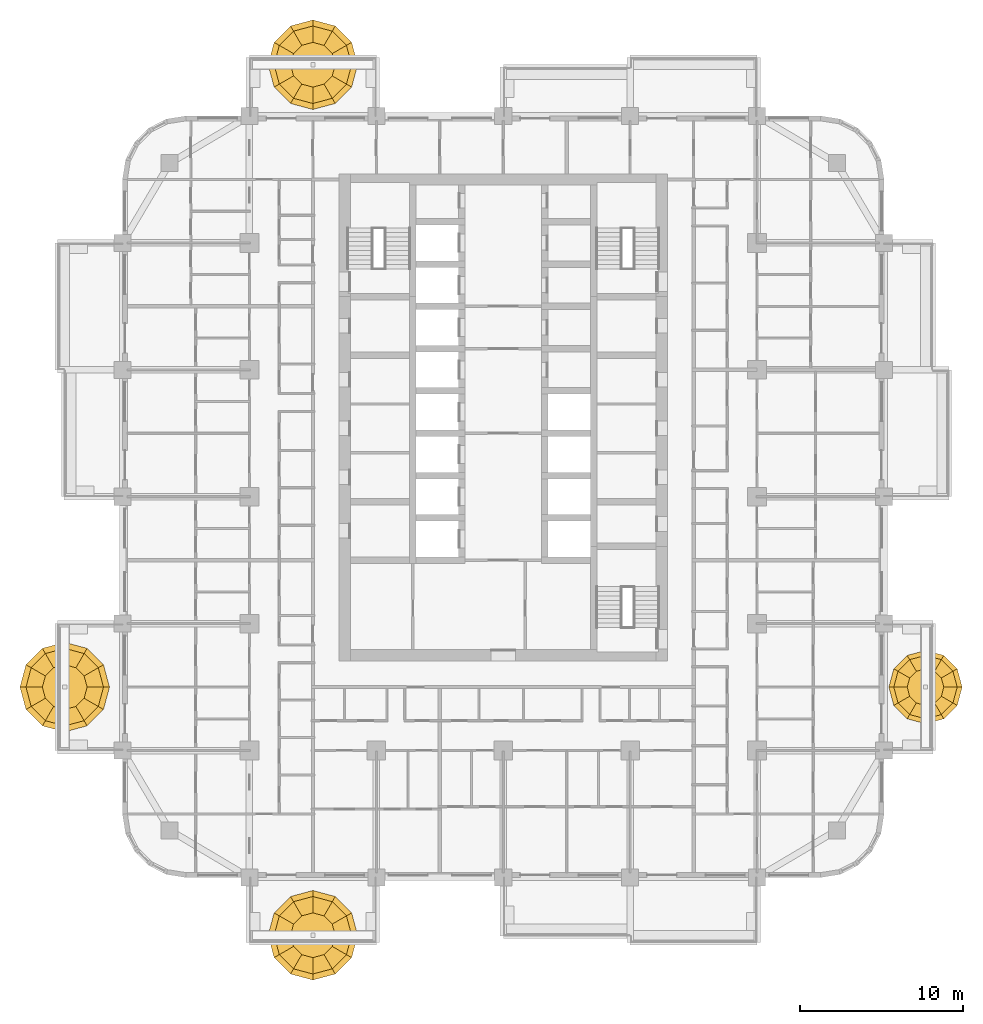
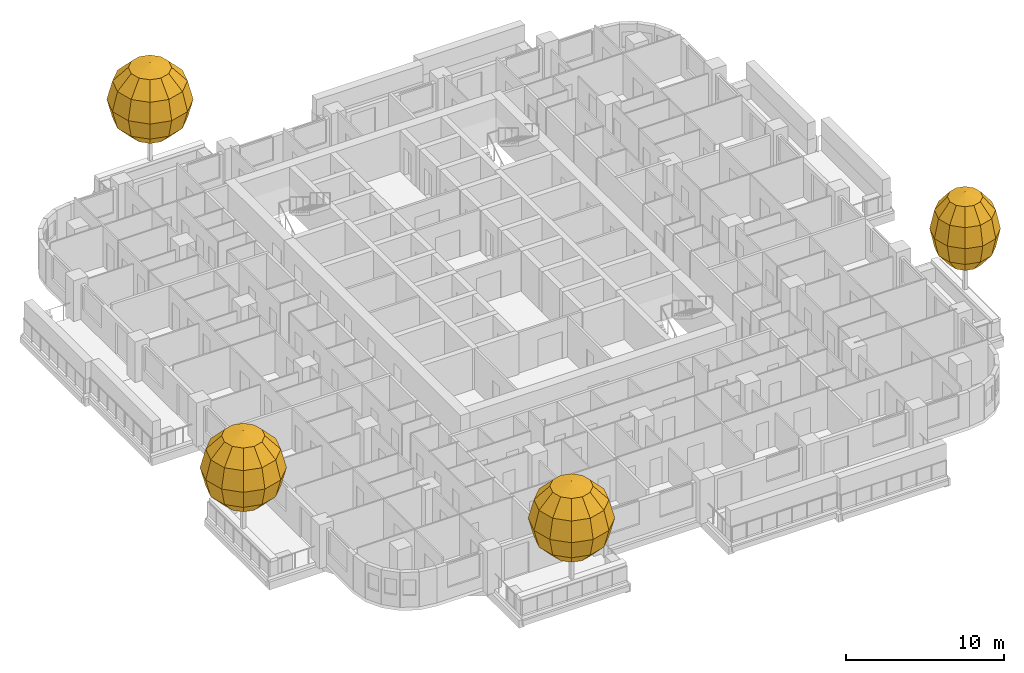
# One storey, part 19 of 19: 4 coverings.
"""IFC4 building model written with IfcOpenShell, lengths in metres."""

from ifc_helpers import new_model, si_unit, direction, frame, origin, place, context, subcontext, project, spatial, triangles, material, layer, layer_set, type_object, element, save


model = new_model("IFC4")

# Units and contexts
model_context = context("Model", 3, precision=1e-05, world=origin(), true_north=direction((0.0, 1.0)))
body_context = subcontext(model_context, "Body", "Model", "MODEL_VIEW")
ifc_project = project(units=[si_unit("LENGTHUNIT", "METRE"), si_unit("AREAUNIT", "SQUARE_METRE"), si_unit("VOLUMEUNIT", "CUBIC_METRE"), si_unit("PLANEANGLEUNIT", "RADIAN"), si_unit("MASSUNIT", "GRAM", prefix="KILO")], contexts=[model_context])

# Site, building, storey
site_placement = place(None, origin())
site = spatial("IfcSite", under=ifc_project, at=site_placement, CompositionType="ELEMENT")
building_placement = place(site_placement, origin())
building = spatial("IfcBuilding", under=site, at=building_placement, Name="Ludao Terraces", CompositionType="ELEMENT")
storey_placement = place(building_placement, frame((0.0, 0.0, 36.5)))
storey = spatial("IfcBuildingStorey", under=building, at=storey_placement, Name="L09", CompositionType="ELEMENT", Elevation=36.5)

# Coverings
ifc_material = material(Name="Planting")
ifc_layer_1 = layer(ifc_material, 4.5)
ifc_layer_set_1 = layer_set([ifc_layer_1], Name="ENV Tree crown 4500x5700")
covering_type_1 = type_object("IfcCoveringType", Name="ENV Tree crown 4500x5700", PredefinedType="USERDEFINED", material=ifc_layer_set_1)
covering_1_placement = place(storey_placement, frame((110.949951171875, 53.300048828125, 6.0)))
element("IfcCovering", 1, at=covering_1_placement, inside=storey, type_object=covering_type_1, Name="Tree crown L09 E1", ObjectType="PLANTING", PredefinedType="USERDEFINED", context=body_context, shape_type="Tessellation", body=[
    triangles([(0.0, 0.0, 2.85009765625), (1.125, 0.0, 2.46826171875), (0.974365234375, 0.5625, 2.46826171875), (0.5625, 0.974365234375, 2.46826171875), (0.0, 1.125, 2.46826171875), (-0.5625, 0.974365234375, 2.46826171875), (-0.974365234375, 0.5625, 2.46826171875), (-1.125, 0.0, 2.46826171875), (-0.974365234375, -0.5625, 2.46826171875), (-0.5625, -0.974365234375, 2.46826171875), (0.0, -1.125, 2.46826171875), (0.5625, -0.974365234375, 2.46826171875), (0.974365234375, -0.5625, 2.46826171875), (1.948486328125, 0.0, 1.425048828125), (1.6875, 0.974365234375, 1.425048828125), (0.974365234375, 1.6875, 1.425048828125), (0.0, 1.948486328125, 1.425048828125), (-0.974365234375, 1.6875, 1.425048828125), (-1.6875, 0.974365234375, 1.425048828125), (-1.948486328125, 0.0, 1.425048828125), (-1.6875, -0.974365234375, 1.425048828125), (-0.974365234375, -1.6875, 1.425048828125), (0.0, -1.948486328125, 1.425048828125), (0.974365234375, -1.6875, 1.425048828125), (1.6875, -0.974365234375, 1.425048828125), (2.25, 0.0, 0.0), (1.948486328125, 1.125, 0.0), (1.125, 1.948486328125, 0.0), (0.0, 2.25, 0.0), (-1.125, 1.948486328125, 0.0), (-1.948486328125, 1.125, 0.0), (-2.25, 0.0, 0.0), (-1.948486328125, -1.125, 0.0), (-1.125, -1.948486328125, 0.0), (0.0, -2.25, 0.0), (1.125, -1.948486328125, 0.0), (1.948486328125, -1.125, 0.0), (1.948486328125, 0.0, -1.425048828125), (1.6875, 0.974365234375, -1.425048828125), (0.974365234375, 1.6875, -1.425048828125), (0.0, 1.948486328125, -1.425048828125), (-0.974365234375, 1.6875, -1.425048828125), (-1.6875, 0.974365234375, -1.425048828125), (-1.948486328125, 0.0, -1.425048828125), (-1.6875, -0.974365234375, -1.425048828125), (-0.974365234375, -1.6875, -1.425048828125), (0.0, -1.948486328125, -1.425048828125), (0.974365234375, -1.6875, -1.425048828125), (1.6875, -0.974365234375, -1.425048828125), (1.125, 0.0, -2.46826171875), (0.974365234375, 0.5625, -2.46826171875), (0.5625, 0.974365234375, -2.46826171875), (0.0, 1.125, -2.46826171875), (-0.5625, 0.974365234375, -2.46826171875), (-0.974365234375, 0.5625, -2.46826171875), (-1.125, 0.0, -2.46826171875), (-0.974365234375, -0.5625, -2.46826171875), (-0.5625, -0.974365234375, -2.46826171875), (0.0, -1.125, -2.46826171875), (0.5625, -0.974365234375, -2.46826171875), (0.974365234375, -0.5625, -2.46826171875), (0.0, 0.0, -2.85009765625)], [[1, 2, 3], [1, 3, 4], [1, 4, 5], [1, 5, 6], [1, 6, 7], [1, 7, 8], [1, 8, 9], [1, 9, 10], [1, 10, 11], [1, 11, 12], [1, 12, 13], [1, 13, 2], [2, 14, 15], [2, 15, 3], [3, 15, 16], [3, 16, 4], [4, 16, 17], [4, 17, 5], [5, 17, 18], [5, 18, 6], [6, 18, 19], [6, 19, 7], [7, 19, 20], [7, 20, 8], [8, 20, 21], [8, 21, 9], [9, 21, 22], [9, 22, 10], [10, 22, 23], [10, 23, 11], [11, 23, 24], [11, 24, 12], [12, 24, 25], [12, 25, 13], [13, 25, 14], [13, 14, 2], [14, 26, 27], [14, 27, 15], [15, 27, 28], [15, 28, 16], [16, 28, 29], [16, 29, 17], [17, 29, 30], [17, 30, 18], [18, 30, 31], [18, 31, 19], [19, 31, 32], [19, 32, 20], [20, 32, 33], [20, 33, 21], [21, 33, 34], [21, 34, 22], [22, 34, 35], [22, 35, 23], [23, 35, 36], [23, 36, 24], [24, 36, 37], [24, 37, 25], [25, 37, 26], [25, 26, 14], [26, 38, 39], [26, 39, 27], [27, 39, 40], [27, 40, 28], [28, 40, 41], [28, 41, 29], [29, 41, 42], [29, 42, 30], [30, 42, 43], [30, 43, 31], [31, 43, 44], [31, 44, 32], [32, 44, 45], [32, 45, 33], [33, 45, 46], [33, 46, 34], [34, 46, 47], [34, 47, 35], [35, 47, 48], [35, 48, 36], [36, 48, 49], [36, 49, 37], [37, 49, 38], [37, 38, 26], [38, 50, 51], [38, 51, 39], [39, 51, 52], [39, 52, 40], [40, 52, 53], [40, 53, 41], [41, 53, 54], [41, 54, 42], [42, 54, 55], [42, 55, 43], [43, 55, 56], [43, 56, 44], [44, 56, 57], [44, 57, 45], [45, 57, 58], [45, 58, 46], [46, 58, 59], [46, 59, 47], [47, 59, 60], [47, 60, 48], [48, 60, 61], [48, 61, 49], [49, 61, 50], [49, 50, 38], [62, 51, 50], [62, 52, 51], [62, 53, 52], [62, 54, 53], [62, 55, 54], [62, 56, 55], [62, 57, 56], [62, 58, 57], [62, 59, 58], [62, 60, 59], [62, 61, 60], [62, 50, 61]], closed=True),
])
ifc_layer_2 = layer(ifc_material, 5.5)
ifc_layer_set_2 = layer_set([ifc_layer_2], Name="ENV Tree crown 5500x5700")
covering_type_2 = type_object("IfcCoveringType", Name="ENV Tree crown 5500x5700", PredefinedType="USERDEFINED", material=ifc_layer_set_2)
covering_2_placement = place(storey_placement, frame((73.300048828125, 38.050048828125, 6.0)))
element("IfcCovering", 2, at=covering_2_placement, inside=storey, type_object=covering_type_2, Name="Tree crown L09 S1", ObjectType="PLANTING", PredefinedType="USERDEFINED", context=body_context, shape_type="Tessellation", body=[
    triangles([(0.0, 0.0, 2.85009765625), (1.375, 0.0, 2.46826171875), (1.190673828125, 0.6875, 2.46826171875), (0.6875, 1.190673828125, 2.46826171875), (0.0, 1.375, 2.46826171875), (-0.6875, 1.190673828125, 2.46826171875), (-1.190673828125, 0.6875, 2.46826171875), (-1.375, 0.0, 2.46826171875), (-1.190673828125, -0.6875, 2.46826171875), (-0.6875, -1.190673828125, 2.46826171875), (0.0, -1.375, 2.46826171875), (0.6875, -1.190673828125, 2.46826171875), (1.190673828125, -0.6875, 2.46826171875), (2.381591796875, 0.0, 1.425048828125), (2.0625, 1.190673828125, 1.425048828125), (1.190673828125, 2.0625, 1.425048828125), (0.0, 2.381591796875, 1.425048828125), (-1.190673828125, 2.0625, 1.425048828125), (-2.0625, 1.190673828125, 1.425048828125), (-2.381591796875, 0.0, 1.425048828125), (-2.0625, -1.190673828125, 1.425048828125), (-1.190673828125, -2.0625, 1.425048828125), (0.0, -2.381591796875, 1.425048828125), (1.190673828125, -2.0625, 1.425048828125), (2.0625, -1.190673828125, 1.425048828125), (2.75, 0.0, 0.0), (2.381591796875, 1.375, 0.0), (1.375, 2.381591796875, 0.0), (0.0, 2.75, 0.0), (-1.375, 2.381591796875, 0.0), (-2.381591796875, 1.375, 0.0), (-2.75, 0.0, 0.0), (-2.381591796875, -1.375, 0.0), (-1.375, -2.381591796875, 0.0), (0.0, -2.75, 0.0), (1.375, -2.381591796875, 0.0), (2.381591796875, -1.375, 0.0), (2.381591796875, 0.0, -1.425048828125), (2.0625, 1.190673828125, -1.425048828125), (1.190673828125, 2.0625, -1.425048828125), (0.0, 2.381591796875, -1.425048828125), (-1.190673828125, 2.0625, -1.425048828125), (-2.0625, 1.190673828125, -1.425048828125), (-2.381591796875, 0.0, -1.425048828125), (-2.0625, -1.190673828125, -1.425048828125), (-1.190673828125, -2.0625, -1.425048828125), (0.0, -2.381591796875, -1.425048828125), (1.190673828125, -2.0625, -1.425048828125), (2.0625, -1.190673828125, -1.425048828125), (1.375, 0.0, -2.46826171875), (1.190673828125, 0.6875, -2.46826171875), (0.6875, 1.190673828125, -2.46826171875), (0.0, 1.375, -2.46826171875), (-0.6875, 1.190673828125, -2.46826171875), (-1.190673828125, 0.6875, -2.46826171875), (-1.375, 0.0, -2.46826171875), (-1.190673828125, -0.6875, -2.46826171875), (-0.6875, -1.190673828125, -2.46826171875), (0.0, -1.375, -2.46826171875), (0.6875, -1.190673828125, -2.46826171875), (1.190673828125, -0.6875, -2.46826171875), (0.0, 0.0, -2.85009765625)], [[1, 2, 3], [1, 3, 4], [1, 4, 5], [1, 5, 6], [1, 6, 7], [1, 7, 8], [1, 8, 9], [1, 9, 10], [1, 10, 11], [1, 11, 12], [1, 12, 13], [1, 13, 2], [2, 14, 15], [2, 15, 3], [3, 15, 16], [3, 16, 4], [4, 16, 17], [4, 17, 5], [5, 17, 18], [5, 18, 6], [6, 18, 19], [6, 19, 7], [7, 19, 20], [7, 20, 8], [8, 20, 21], [8, 21, 9], [9, 21, 22], [9, 22, 10], [10, 22, 23], [10, 23, 11], [11, 23, 24], [11, 24, 12], [12, 24, 25], [12, 25, 13], [13, 25, 14], [13, 14, 2], [14, 26, 27], [14, 27, 15], [15, 27, 28], [15, 28, 16], [16, 28, 29], [16, 29, 17], [17, 29, 30], [17, 30, 18], [18, 30, 31], [18, 31, 19], [19, 31, 32], [19, 32, 20], [20, 32, 33], [20, 33, 21], [21, 33, 34], [21, 34, 22], [22, 34, 35], [22, 35, 23], [23, 35, 36], [23, 36, 24], [24, 36, 37], [24, 37, 25], [25, 37, 26], [25, 26, 14], [26, 38, 39], [26, 39, 27], [27, 39, 40], [27, 40, 28], [28, 40, 41], [28, 41, 29], [29, 41, 42], [29, 42, 30], [30, 42, 43], [30, 43, 31], [31, 43, 44], [31, 44, 32], [32, 44, 45], [32, 45, 33], [33, 45, 46], [33, 46, 34], [34, 46, 47], [34, 47, 35], [35, 47, 48], [35, 48, 36], [36, 48, 49], [36, 49, 37], [37, 49, 38], [37, 38, 26], [38, 50, 51], [38, 51, 39], [39, 51, 52], [39, 52, 40], [40, 52, 53], [40, 53, 41], [41, 53, 54], [41, 54, 42], [42, 54, 55], [42, 55, 43], [43, 55, 56], [43, 56, 44], [44, 56, 57], [44, 57, 45], [45, 57, 58], [45, 58, 46], [46, 58, 59], [46, 59, 47], [47, 59, 60], [47, 60, 48], [48, 60, 61], [48, 61, 49], [49, 61, 50], [49, 50, 38], [62, 51, 50], [62, 52, 51], [62, 53, 52], [62, 54, 53], [62, 55, 54], [62, 56, 55], [62, 57, 56], [62, 58, 57], [62, 59, 58], [62, 60, 59], [62, 61, 60], [62, 50, 61]], closed=True),
])
covering_3_placement = place(storey_placement, frame((73.300048828125, 91.550048828125, 6.0)))
element("IfcCovering", 3, at=covering_3_placement, inside=storey, type_object=covering_type_2, Name="Tree crown L09 N1", ObjectType="PLANTING", PredefinedType="USERDEFINED", context=body_context, shape_type="Tessellation", body=[
    triangles([(0.0, 0.0, 2.85009765625), (1.375, 0.0, 2.46826171875), (1.190673828125, 0.6875, 2.46826171875), (0.6875, 1.190673828125, 2.46826171875), (0.0, 1.375, 2.46826171875), (-0.6875, 1.190673828125, 2.46826171875), (-1.190673828125, 0.6875, 2.46826171875), (-1.375, 0.0, 2.46826171875), (-1.190673828125, -0.6875, 2.46826171875), (-0.6875, -1.190673828125, 2.46826171875), (0.0, -1.375, 2.46826171875), (0.6875, -1.190673828125, 2.46826171875), (1.190673828125, -0.6875, 2.46826171875), (2.381591796875, 0.0, 1.425048828125), (2.0625, 1.190673828125, 1.425048828125), (1.190673828125, 2.0625, 1.425048828125), (0.0, 2.381591796875, 1.425048828125), (-1.190673828125, 2.0625, 1.425048828125), (-2.0625, 1.190673828125, 1.425048828125), (-2.381591796875, 0.0, 1.425048828125), (-2.0625, -1.190673828125, 1.425048828125), (-1.190673828125, -2.0625, 1.425048828125), (0.0, -2.381591796875, 1.425048828125), (1.190673828125, -2.0625, 1.425048828125), (2.0625, -1.190673828125, 1.425048828125), (2.75, 0.0, 0.0), (2.381591796875, 1.375, 0.0), (1.375, 2.381591796875, 0.0), (0.0, 2.75, 0.0), (-1.375, 2.381591796875, 0.0), (-2.381591796875, 1.375, 0.0), (-2.75, 0.0, 0.0), (-2.381591796875, -1.375, 0.0), (-1.375, -2.381591796875, 0.0), (0.0, -2.75, 0.0), (1.375, -2.381591796875, 0.0), (2.381591796875, -1.375, 0.0), (2.381591796875, 0.0, -1.425048828125), (2.0625, 1.190673828125, -1.425048828125), (1.190673828125, 2.0625, -1.425048828125), (0.0, 2.381591796875, -1.425048828125), (-1.190673828125, 2.0625, -1.425048828125), (-2.0625, 1.190673828125, -1.425048828125), (-2.381591796875, 0.0, -1.425048828125), (-2.0625, -1.190673828125, -1.425048828125), (-1.190673828125, -2.0625, -1.425048828125), (0.0, -2.381591796875, -1.425048828125), (1.190673828125, -2.0625, -1.425048828125), (2.0625, -1.190673828125, -1.425048828125), (1.375, 0.0, -2.46826171875), (1.190673828125, 0.6875, -2.46826171875), (0.6875, 1.190673828125, -2.46826171875), (0.0, 1.375, -2.46826171875), (-0.6875, 1.190673828125, -2.46826171875), (-1.190673828125, 0.6875, -2.46826171875), (-1.375, 0.0, -2.46826171875), (-1.190673828125, -0.6875, -2.46826171875), (-0.6875, -1.190673828125, -2.46826171875), (0.0, -1.375, -2.46826171875), (0.6875, -1.190673828125, -2.46826171875), (1.190673828125, -0.6875, -2.46826171875), (0.0, 0.0, -2.85009765625)], [[1, 2, 3], [1, 3, 4], [1, 4, 5], [1, 5, 6], [1, 6, 7], [1, 7, 8], [1, 8, 9], [1, 9, 10], [1, 10, 11], [1, 11, 12], [1, 12, 13], [1, 13, 2], [2, 14, 15], [2, 15, 3], [3, 15, 16], [3, 16, 4], [4, 16, 17], [4, 17, 5], [5, 17, 18], [5, 18, 6], [6, 18, 19], [6, 19, 7], [7, 19, 20], [7, 20, 8], [8, 20, 21], [8, 21, 9], [9, 21, 22], [9, 22, 10], [10, 22, 23], [10, 23, 11], [11, 23, 24], [11, 24, 12], [12, 24, 25], [12, 25, 13], [13, 25, 14], [13, 14, 2], [14, 26, 27], [14, 27, 15], [15, 27, 28], [15, 28, 16], [16, 28, 29], [16, 29, 17], [17, 29, 30], [17, 30, 18], [18, 30, 31], [18, 31, 19], [19, 31, 32], [19, 32, 20], [20, 32, 33], [20, 33, 21], [21, 33, 34], [21, 34, 22], [22, 34, 35], [22, 35, 23], [23, 35, 36], [23, 36, 24], [24, 36, 37], [24, 37, 25], [25, 37, 26], [25, 26, 14], [26, 38, 39], [26, 39, 27], [27, 39, 40], [27, 40, 28], [28, 40, 41], [28, 41, 29], [29, 41, 42], [29, 42, 30], [30, 42, 43], [30, 43, 31], [31, 43, 44], [31, 44, 32], [32, 44, 45], [32, 45, 33], [33, 45, 46], [33, 46, 34], [34, 46, 47], [34, 47, 35], [35, 47, 48], [35, 48, 36], [36, 48, 49], [36, 49, 37], [37, 49, 38], [37, 38, 26], [38, 50, 51], [38, 51, 39], [39, 51, 52], [39, 52, 40], [40, 52, 53], [40, 53, 41], [41, 53, 54], [41, 54, 42], [42, 54, 55], [42, 55, 43], [43, 55, 56], [43, 56, 44], [44, 56, 57], [44, 57, 45], [45, 57, 58], [45, 58, 46], [46, 58, 59], [46, 59, 47], [47, 59, 60], [47, 60, 48], [48, 60, 61], [48, 61, 49], [49, 61, 50], [49, 50, 38], [62, 51, 50], [62, 52, 51], [62, 53, 52], [62, 54, 53], [62, 55, 54], [62, 56, 55], [62, 57, 56], [62, 58, 57], [62, 59, 58], [62, 60, 59], [62, 61, 60], [62, 50, 61]], closed=True),
])
covering_4_placement = place(storey_placement, frame((58.050048828125, 53.300048828125, 6.0)))
element("IfcCovering", 4, at=covering_4_placement, inside=storey, type_object=covering_type_2, Name="Tree crown L09 W1", ObjectType="PLANTING", PredefinedType="USERDEFINED", context=body_context, shape_type="Tessellation", body=[
    triangles([(0.0, 0.0, 2.85009765625), (1.375, 0.0, 2.46826171875), (1.190673828125, 0.6875, 2.46826171875), (0.6875, 1.190673828125, 2.46826171875), (0.0, 1.375, 2.46826171875), (-0.6875, 1.190673828125, 2.46826171875), (-1.190673828125, 0.6875, 2.46826171875), (-1.375, 0.0, 2.46826171875), (-1.190673828125, -0.6875, 2.46826171875), (-0.6875, -1.190673828125, 2.46826171875), (0.0, -1.375, 2.46826171875), (0.6875, -1.190673828125, 2.46826171875), (1.190673828125, -0.6875, 2.46826171875), (2.381591796875, 0.0, 1.425048828125), (2.0625, 1.190673828125, 1.425048828125), (1.190673828125, 2.0625, 1.425048828125), (0.0, 2.381591796875, 1.425048828125), (-1.190673828125, 2.0625, 1.425048828125), (-2.0625, 1.190673828125, 1.425048828125), (-2.381591796875, 0.0, 1.425048828125), (-2.0625, -1.190673828125, 1.425048828125), (-1.190673828125, -2.0625, 1.425048828125), (0.0, -2.381591796875, 1.425048828125), (1.190673828125, -2.0625, 1.425048828125), (2.0625, -1.190673828125, 1.425048828125), (2.75, 0.0, 0.0), (2.381591796875, 1.375, 0.0), (1.375, 2.381591796875, 0.0), (0.0, 2.75, 0.0), (-1.375, 2.381591796875, 0.0), (-2.381591796875, 1.375, 0.0), (-2.75, 0.0, 0.0), (-2.381591796875, -1.375, 0.0), (-1.375, -2.381591796875, 0.0), (0.0, -2.75, 0.0), (1.375, -2.381591796875, 0.0), (2.381591796875, -1.375, 0.0), (2.381591796875, 0.0, -1.425048828125), (2.0625, 1.190673828125, -1.425048828125), (1.190673828125, 2.0625, -1.425048828125), (0.0, 2.381591796875, -1.425048828125), (-1.190673828125, 2.0625, -1.425048828125), (-2.0625, 1.190673828125, -1.425048828125), (-2.381591796875, 0.0, -1.425048828125), (-2.0625, -1.190673828125, -1.425048828125), (-1.190673828125, -2.0625, -1.425048828125), (0.0, -2.381591796875, -1.425048828125), (1.190673828125, -2.0625, -1.425048828125), (2.0625, -1.190673828125, -1.425048828125), (1.375, 0.0, -2.46826171875), (1.190673828125, 0.6875, -2.46826171875), (0.6875, 1.190673828125, -2.46826171875), (0.0, 1.375, -2.46826171875), (-0.6875, 1.190673828125, -2.46826171875), (-1.190673828125, 0.6875, -2.46826171875), (-1.375, 0.0, -2.46826171875), (-1.190673828125, -0.6875, -2.46826171875), (-0.6875, -1.190673828125, -2.46826171875), (0.0, -1.375, -2.46826171875), (0.6875, -1.190673828125, -2.46826171875), (1.190673828125, -0.6875, -2.46826171875), (0.0, 0.0, -2.85009765625)], [[1, 2, 3], [1, 3, 4], [1, 4, 5], [1, 5, 6], [1, 6, 7], [1, 7, 8], [1, 8, 9], [1, 9, 10], [1, 10, 11], [1, 11, 12], [1, 12, 13], [1, 13, 2], [2, 14, 15], [2, 15, 3], [3, 15, 16], [3, 16, 4], [4, 16, 17], [4, 17, 5], [5, 17, 18], [5, 18, 6], [6, 18, 19], [6, 19, 7], [7, 19, 20], [7, 20, 8], [8, 20, 21], [8, 21, 9], [9, 21, 22], [9, 22, 10], [10, 22, 23], [10, 23, 11], [11, 23, 24], [11, 24, 12], [12, 24, 25], [12, 25, 13], [13, 25, 14], [13, 14, 2], [14, 26, 27], [14, 27, 15], [15, 27, 28], [15, 28, 16], [16, 28, 29], [16, 29, 17], [17, 29, 30], [17, 30, 18], [18, 30, 31], [18, 31, 19], [19, 31, 32], [19, 32, 20], [20, 32, 33], [20, 33, 21], [21, 33, 34], [21, 34, 22], [22, 34, 35], [22, 35, 23], [23, 35, 36], [23, 36, 24], [24, 36, 37], [24, 37, 25], [25, 37, 26], [25, 26, 14], [26, 38, 39], [26, 39, 27], [27, 39, 40], [27, 40, 28], [28, 40, 41], [28, 41, 29], [29, 41, 42], [29, 42, 30], [30, 42, 43], [30, 43, 31], [31, 43, 44], [31, 44, 32], [32, 44, 45], [32, 45, 33], [33, 45, 46], [33, 46, 34], [34, 46, 47], [34, 47, 35], [35, 47, 48], [35, 48, 36], [36, 48, 49], [36, 49, 37], [37, 49, 38], [37, 38, 26], [38, 50, 51], [38, 51, 39], [39, 51, 52], [39, 52, 40], [40, 52, 53], [40, 53, 41], [41, 53, 54], [41, 54, 42], [42, 54, 55], [42, 55, 43], [43, 55, 56], [43, 56, 44], [44, 56, 57], [44, 57, 45], [45, 57, 58], [45, 58, 46], [46, 58, 59], [46, 59, 47], [47, 59, 60], [47, 60, 48], [48, 60, 61], [48, 61, 49], [49, 61, 50], [49, 50, 38], [62, 51, 50], [62, 52, 51], [62, 53, 52], [62, 54, 53], [62, 55, 54], [62, 56, 55], [62, 57, 56], [62, 58, 57], [62, 59, 58], [62, 60, 59], [62, 61, 60], [62, 50, 61]], closed=True),
])

save(model, "model.ifc")
